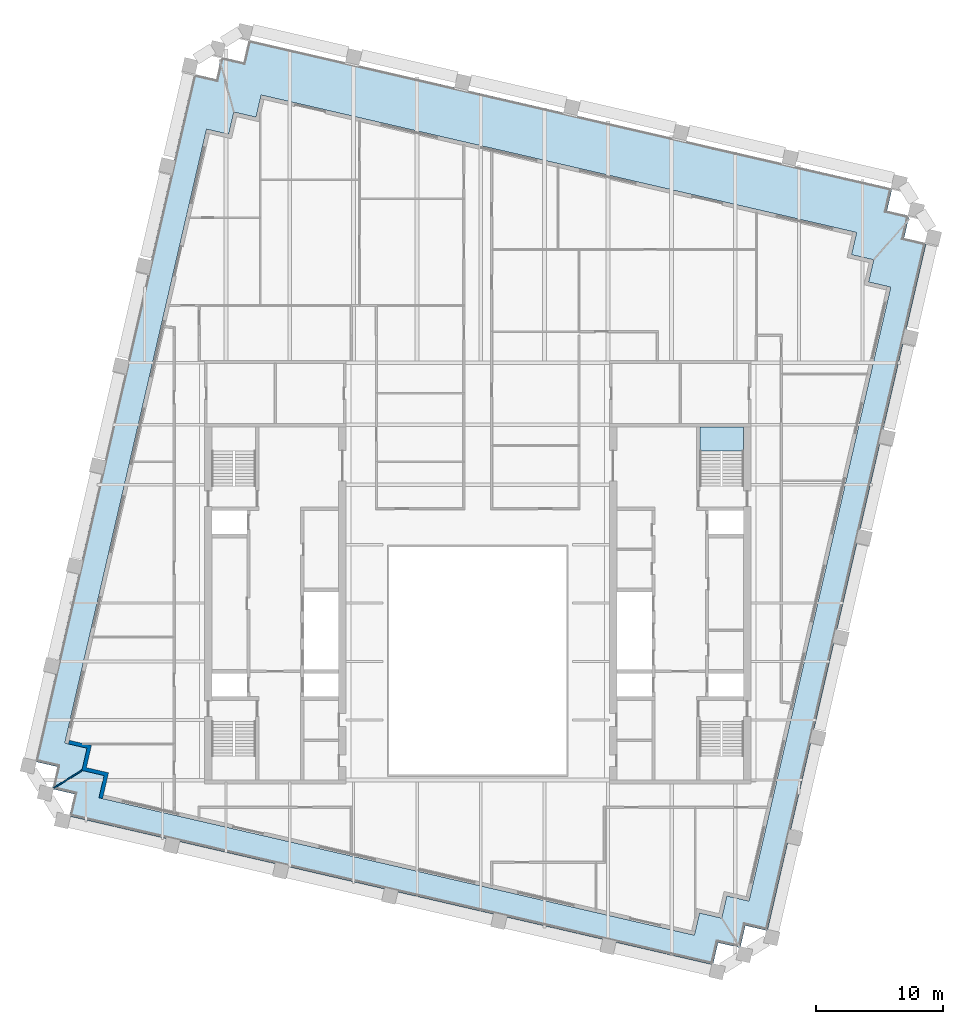
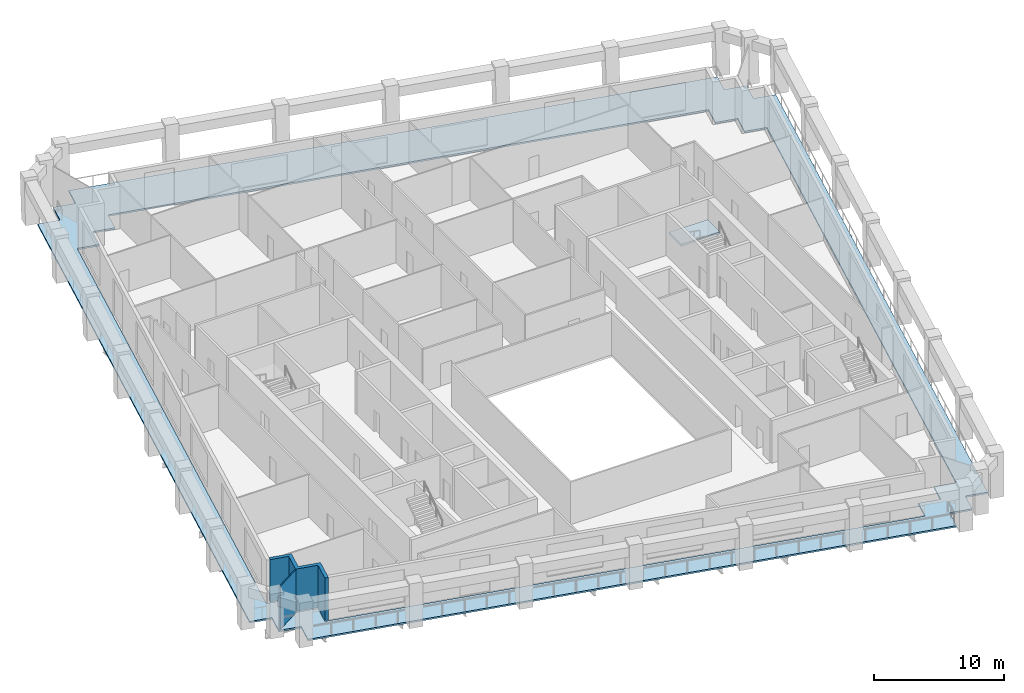
# One storey, part 3 of 11: 2 slabs, 2 walls, 1 element without a shape of its own.
"""IFC4 building model written with IfcOpenShell, lengths in metres."""

from ifc_helpers import new_model, si_unit, direction, frame, frame_2d, origin, place, context, subcontext, project, spatial, polyline, rectangle, outline, extrude, material, layer, layer_set, type_object, element, aggregate, save


model = new_model("IFC4")

# Units and contexts
model_context = context("Model", 3, precision=1e-05, world=origin(), true_north=direction((0.0, 1.0)))
body_context = subcontext(model_context, "Body", "Model", "MODEL_VIEW")
ifc_project = project(units=[si_unit("LENGTHUNIT", "METRE"), si_unit("AREAUNIT", "SQUARE_METRE"), si_unit("VOLUMEUNIT", "CUBIC_METRE"), si_unit("PLANEANGLEUNIT", "RADIAN"), si_unit("MASSUNIT", "GRAM", prefix="KILO")], contexts=[model_context])

# Site, building, storey
site_placement = place(None, origin())
site = spatial("IfcSite", under=ifc_project, at=site_placement, CompositionType="ELEMENT")
building_placement = place(site_placement, origin())
building = spatial("IfcBuilding", under=site, at=building_placement, Name="Ogive Exchange Tower", CompositionType="ELEMENT")
storey_placement = place(building_placement, frame((0.0, 0.0, 259.800048828125)))
storey = spatial("IfcBuildingStorey", under=building, at=storey_placement, Name="L56", CompositionType="ELEMENT", Elevation=259.800048828125)

# Slab
ifc_material_1 = material(Name="Concrete C50/60", Category="concrete")
ifc_layer_1 = layer(ifc_material_1, 0.14990234375)
ifc_layer_set_1 = layer_set([ifc_layer_1], Name="Loggia deck 150")
slab_type_1 = type_object("IfcSlabType", Name="Loggia deck 150", PredefinedType="FLOOR", material=ifc_layer_set_1)
slab_1_placement = place(storey_placement, frame((0.0, 0.0, -0.199951171875)))
element("IfcSlab", 1, at=slab_1_placement, inside=storey, type_object=slab_type_1, Name="Loggia deck", PredefinedType="FLOOR", context=body_context, shape_type="SweptSolid", body=[
    extrude(outline(polyline([(-31.8759765625, -3.54443359375), (-33.6298828125, -3.1396484375), (-33.224853515625, -1.3857421875), (-34.978759765625, -0.980712890625), (-22.4326171875, 53.362548828125), (-20.6787109375, 52.95751953125), (-20.273681640625, 54.71142578125), (-18.52001953125, 54.306396484375), (-18.114990234375, 56.060302734375), (32.7470703125, 44.31787109375), (32.34228515625, 42.564208984375), (34.095947265625, 42.1591796875), (33.691162109375, 40.4052734375), (35.445068359375, 40.00048828125), (22.89892578125, -14.343017578125), (21.14501953125, -13.93798828125), (20.739990234375, -15.69189453125), (18.986083984375, -15.286865234375), (18.581298828125, -17.040771484375), (-32.28076171875, -5.29833984375), (-31.8759765625, -3.54443359375)]), holes=[polyline([(17.52490234375, -12.9482421875), (19.27880859375, -13.353271484375), (19.68359375, -11.599365234375), (21.4375, -12.004150390625), (32.64013671875, 36.519287109375), (30.88623046875, 36.92431640625), (31.291015625, 38.67822265625), (29.537109375, 39.0830078125), (29.942138671875, 40.8369140625), (-17.119873046875, 51.7021484375), (-17.52490234375, 49.9482421875), (-19.27880859375, 50.353271484375), (-19.68359375, 48.599365234375), (-21.4375, 49.004150390625), (-32.64013671875, 0.480712890625), (-30.88623046875, 0.07568359375), (-31.291015625, -1.67822265625), (-29.537109375, -2.0830078125), (-29.942138671875, -3.8369140625), (17.119873046875, -14.7021484375), (17.52490234375, -12.9482421875)])]), origin(), (0.0, 0.0, 1.0), 0.14990234375),
])

# Stair, slab
ifc_material_2 = material(Name="Concrete C40/50", Category="concrete")
stair_type = type_object("IfcStairType", Name="Exit stair 1650 wide", PredefinedType="HALF_TURN_STAIR", material=ifc_material_2)
stair_placement = place(storey_placement, origin())
stair = element("IfcStair", 2, at=stair_placement, inside=storey, type_object=stair_type, Name="L56 exit stair ST4", PredefinedType="HALF_TURN_STAIR")
ifc_layer_2 = layer(ifc_material_2, 0.199951171875)
ifc_layer_set_2 = layer_set([ifc_layer_2], Name="Stair landing 200 slab")
slab_type_2 = type_object("IfcSlabType", Name="Stair landing 200 slab", PredefinedType="LANDING", material=ifc_layer_set_2)
slab_2_placement = place(storey_placement, frame((0.0, 0.0, 1.89990234375)))
slab_2 = element("IfcSlab", 3, at=slab_2_placement, type_object=slab_type_2, Name="ST4 landing 1", PredefinedType="LANDING", context=body_context, shape_type="SweptSolid", body=[
    extrude(outline(polyline([(21.0, 23.550048828125), (21.0, 25.449951171875), (17.550048828125, 25.449951171875), (17.550048828125, 23.550048828125), (21.0, 23.550048828125)])), origin(), (0.0, 0.0, 1.0), 0.199951171875),
])
aggregate(stair, [slab_2])

# Walls
ifc_material_3 = material(Name="Precast concrete C40/50", Category="concrete")
ifc_layer_3 = layer(ifc_material_3, 0.300048828125)
ifc_layer_set_3 = layer_set([ifc_layer_3], Name="Limestone-faced wall 300")
wall_type_1 = type_object("IfcWallType", Name="Limestone-faced wall 300", PredefinedType="STANDARD", material=ifc_layer_set_3)
wall_1_placement = place(storey_placement, origin())
element("IfcWall", 4, at=wall_1_placement, inside=storey, type_object=wall_type_1, Name="External corner wall C4", PredefinedType="STANDARD", context=body_context, shape_type="SweptSolid", body=[
    extrude(outline(polyline([(-31.291015625, -1.67822265625), (-30.88623046875, 0.07568359375), (-32.34765625, 0.4130859375), (-32.2802734375, 0.705322265625), (-30.5263671875, 0.300537109375), (-30.931396484375, -1.453369140625), (-29.177490234375, -1.8583984375), (-29.64990234375, -3.904541015625), (-29.942138671875, -3.8369140625), (-29.537109375, -2.0830078125), (-31.291015625, -1.67822265625)])), origin(), (0.0, 0.0, 1.0), 4.0),
])
ifc_material_4 = material(Name="Laminated safety glass in steel frame", Category="steel")
ifc_layer_4 = layer(ifc_material_4, 0.10009765625)
ifc_layer_set_4 = layer_set([ifc_layer_4], Name="Loggia end screen 100")
wall_type_2 = type_object("IfcWallType", Name="Loggia end screen 100", PredefinedType="STANDARD", material=ifc_layer_set_4)
wall_2_placement = place(storey_placement, frame((-31.291015625, -1.67822265625, -0.050048828125), z_axis=(0.0, 0.0, 1.0), x_axis=(-0.84807753525, -0.529872148923, 0.0)))
element("IfcWall", 5, at=wall_2_placement, inside=storey, type_object=wall_type_2, Name="Loggia end screen C4", PredefinedType="STANDARD", context=body_context, shape_type="SweptSolid", body=[
    extrude(rectangle(XDim=2.596435546875, YDim=0.10009765625, at=frame_2d((1.29833984375, 0.0))), origin(), (0.0, 0.0, 1.0), 4.050048828125),
])

save(model, "model.ifc")
